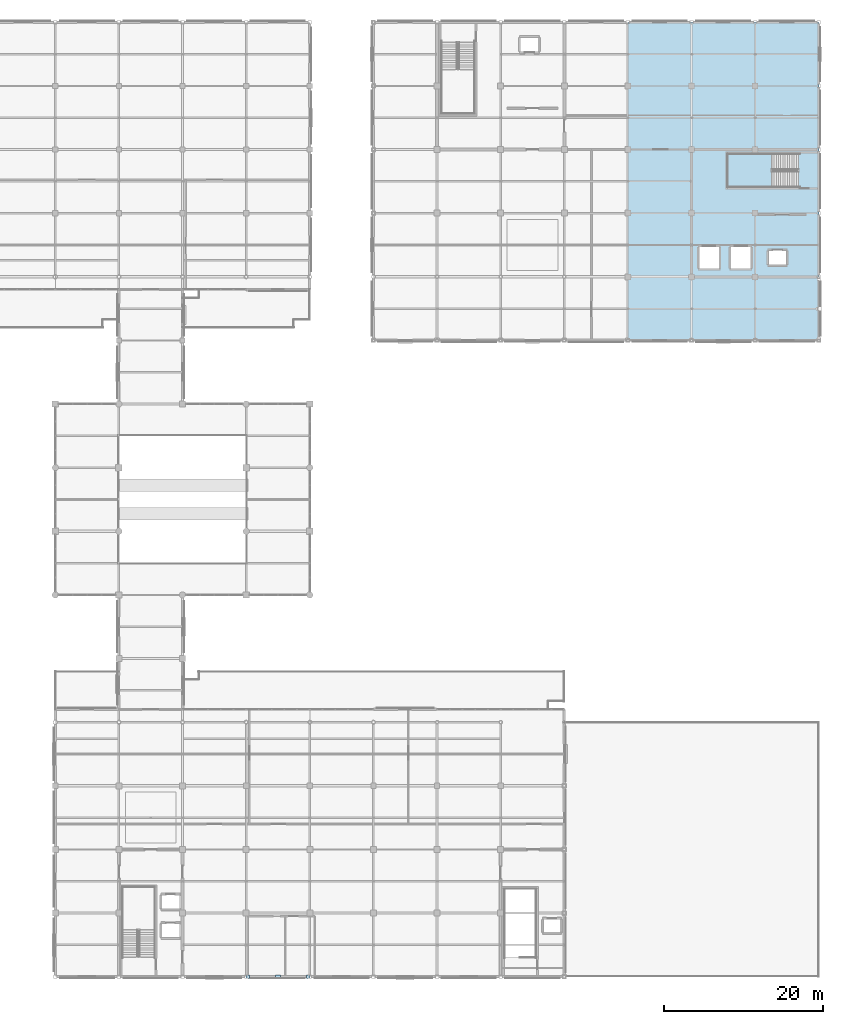
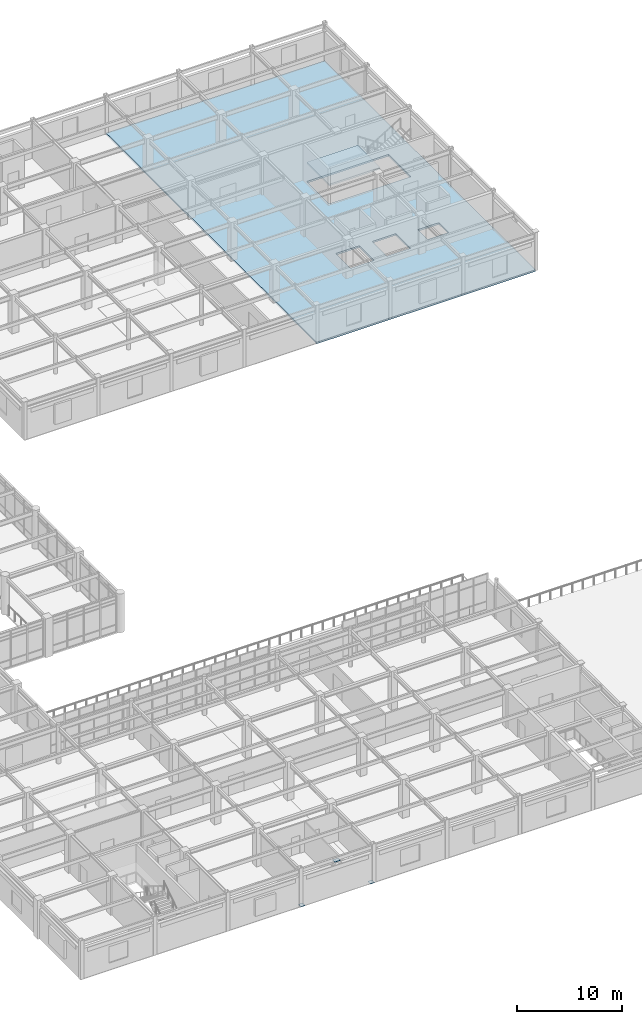
# One storey, part 56 of 93: 3 plates, 2 slabs, 1 element without a shape of its own.
"""IFC4 building model written with IfcOpenShell, lengths in metres."""

from ifc_helpers import new_model, si_unit, direction, frame, origin, origin_2d, place, context, subcontext, project, spatial, polyline, rectangle, outline, extrude, material, layer, layer_set, type_object, element, aggregate, save


model = new_model("IFC4")

# Units and contexts
model_context = context("Model", 3, precision=1e-05, world=origin(), true_north=direction((0.0, 1.0)))
body_context = subcontext(model_context, "Body", "Model", "MODEL_VIEW")
ifc_project = project(units=[si_unit("LENGTHUNIT", "METRE"), si_unit("AREAUNIT", "SQUARE_METRE"), si_unit("VOLUMEUNIT", "CUBIC_METRE"), si_unit("PLANEANGLEUNIT", "RADIAN"), si_unit("MASSUNIT", "GRAM", prefix="KILO")], contexts=[model_context])

# Site, building, storey
site_placement = place(None, origin())
site = spatial("IfcSite", under=ifc_project, at=site_placement, CompositionType="ELEMENT")
building_placement = place(site_placement, origin())
building = spatial("IfcBuilding", under=site, at=building_placement, Name="Solmirada Galleria", CompositionType="ELEMENT")
storey_placement = place(building_placement, frame((0.0, 0.0, 14.89990234375)))
storey = spatial("IfcBuildingStorey", under=building, at=storey_placement, Name="L03", CompositionType="ELEMENT", Elevation=14.89990234375)

# Plates
ifc_material_1 = material(Name="Steel S355 / ASTM A572 Grade 50", Category="steel")
ifc_layer_1 = layer(ifc_material_1, 0.028076171875)
ifc_layer_set_1 = layer_set([ifc_layer_1], Name="Steel S355 / ASTM A572 Grade 50")
plate_type_1 = type_object("IfcPlateType", Name="PLT-NODE-02", PredefinedType="SHEET", material=ifc_layer_set_1)
for number, where, z_axis, x_axis, name in (
    (1, (104.202880859375, 0.0, 0.005859375), (0.0, 0.0, 1.0), (1.0, 0.0, 0.0), "Braced frame gusset plate CBF-S1 L03 LA"),
    (2, (111.797119140625, 0.0, 0.005859375), (0.0, 0.0, 1.0), (1.0, 0.0, 0.0), "Braced frame gusset plate CBF-S1 L03 RA"),
):
    element("IfcPlate", number, at=place(storey_placement, frame(where, z_axis=z_axis, x_axis=x_axis)), inside=storey, type_object=plate_type_1, Name=name, PredefinedType="SHEET", context=body_context, shape_type="SweptSolid", body=[
        extrude(rectangle(XDim=0.47998046875, YDim=0.47998046875, at=origin_2d()), origin(), (0.0, 0.0, 1.0), 0.028076171875),
    ])
ifc_layer_2 = layer(ifc_material_1, 0.035888671875)
ifc_layer_set_2 = layer_set([ifc_layer_2], Name="Steel S355 / ASTM A572 Grade 50")
plate_type_2 = type_object("IfcPlateType", Name="PLT-NODE-04", PredefinedType="SHEET", material=ifc_layer_set_2)
plate_placement = place(storey_placement, frame((108.0, 0.0, 3.8623046875), z_axis=(0.0, 0.0, 1.0), x_axis=(1.0, 0.0, 0.0)))
element("IfcPlate", 3, at=plate_placement, inside=storey, type_object=plate_type_2, Name="Braced frame gusset plate CBF-S1 L03 AP", PredefinedType="SHEET", context=body_context, shape_type="SweptSolid", body=[
    extrude(rectangle(XDim=0.64990234375, YDim=0.449951171875, at=origin_2d()), origin(), (0.0, 0.0, 1.0), 0.035888671875),
])

# Slab
ifc_material_2 = material(Name="Concrete C35/45", Category="concrete")
ifc_layer_3 = layer(ifc_material_2, 0.199951171875)
ifc_layer_set_3 = layer_set([ifc_layer_3], Name="Concrete C35/45")
slab_type_1 = type_object("IfcSlabType", Name="SLB-FLOOR-200", PredefinedType="FLOOR", material=ifc_layer_set_3)
slab_1_placement = place(storey_placement, frame((0.0, 0.0, -0.199951171875)))
element("IfcSlab", 4, at=slab_1_placement, inside=storey, type_object=slab_type_1, Name="Slab L03-NE-E", PredefinedType="FLOOR", context=body_context, shape_type="SweptSolid", body=[
    extrude(outline(polyline([(152.0, 80.0), (176.0, 80.0), (176.0, 120.0), (152.0, 120.0), (152.0, 80.0)]), holes=[polyline([(164.5, 99.25), (173.449951171875, 99.25), (173.449951171875, 103.5), (164.5, 103.5), (164.5, 99.25)]), polyline([(169.64990234375, 89.47509765625), (171.949951171875, 89.47509765625), (171.949951171875, 91.324951171875), (169.64990234375, 91.324951171875), (169.64990234375, 89.47509765625)]), polyline([(164.89990234375, 89.0), (167.5, 89.0), (167.5, 91.800048828125), (164.89990234375, 91.800048828125), (164.89990234375, 89.0)]), polyline([(160.89990234375, 89.0), (163.5, 89.0), (163.5, 91.800048828125), (160.89990234375, 91.800048828125), (160.89990234375, 89.0)])]), origin(), (0.0, 0.0, 1.0), 0.199951171875),
])

# Stair, slab
stair_type = type_object("IfcStairType", Name="STR-DOG-205-H45", PredefinedType="HALF_TURN_STAIR", material=ifc_material_2)
stair_placement = place(storey_placement, origin())
stair = element("IfcStair", 5, at=stair_placement, inside=storey, type_object=stair_type, Name="L03 East Avenue High-Rise and Freight Core Exit Stair ST4", PredefinedType="HALF_TURN_STAIR")
ifc_layer_4 = layer(ifc_material_2, 0.199951171875)
ifc_layer_set_4 = layer_set([ifc_layer_4], Name="Concrete C35/45")
slab_type_2 = type_object("IfcSlabType", Name="SLB-LAND-200", PredefinedType="LANDING", material=ifc_layer_set_4)
slab_2_placement = place(storey_placement, frame((0.0, 0.0, 2.050048828125)))
slab_2 = element("IfcSlab", 6, at=slab_2_placement, type_object=slab_type_2, Name="ST4 landing 1", PredefinedType="LANDING", context=body_context, shape_type="SweptSolid", body=[
    extrude(outline(polyline([(170.090087890625, 103.5), (164.5, 103.5), (164.5, 99.25), (170.090087890625, 99.25), (170.090087890625, 103.5)])), origin(), (0.0, 0.0, 1.0), 0.199951171875),
])
aggregate(stair, [slab_2])

save(model, "model.ifc")
